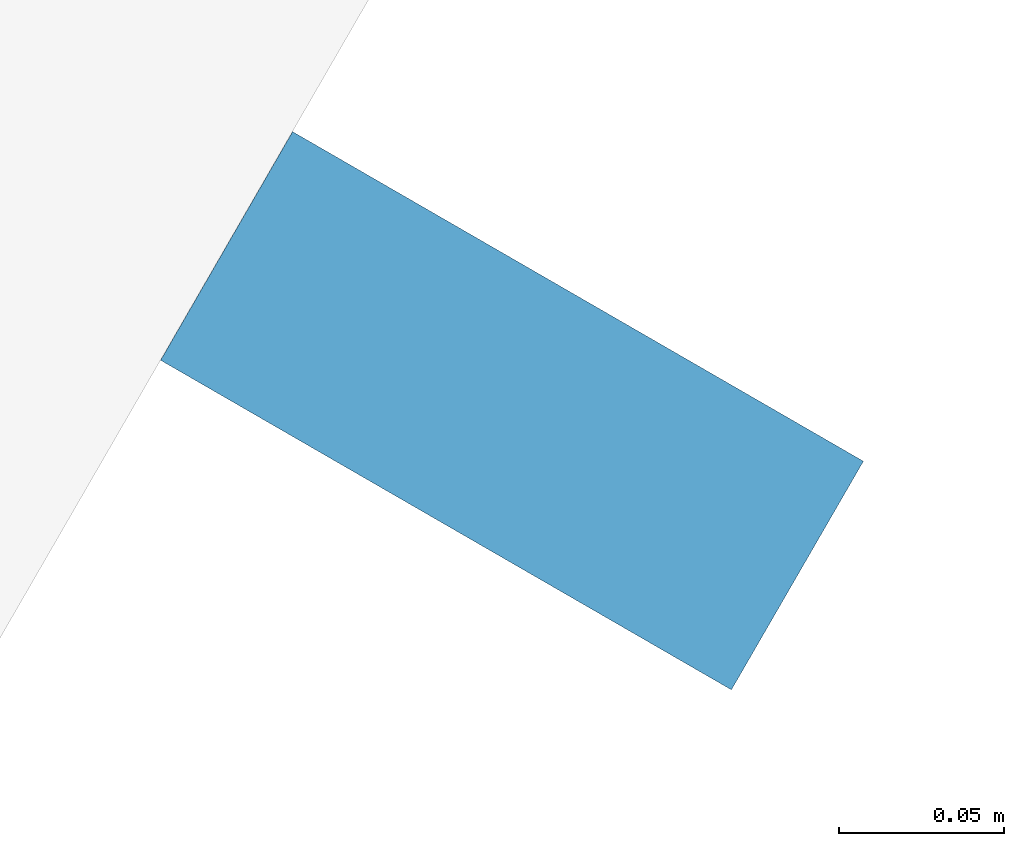
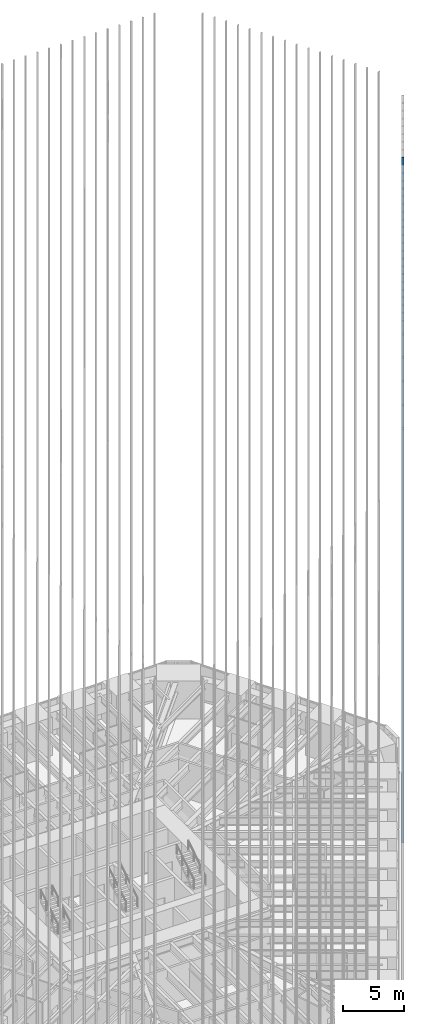
# One storey, part 122 of 256: 1 member, 1 element without a shape of its own.
"""IFC4 building model written with IfcOpenShell, lengths in metres."""

from ifc_helpers import new_model, si_unit, direction, frame, origin, origin_2d, place, context, subcontext, project, spatial, rectangle, extrude, material, material_profile, profile_set, type_object, element, aggregate, save


model = new_model("IFC4")

# Units and contexts
model_context = context("Model", 3, precision=1e-05, world=origin(), true_north=direction((0.0, 1.0)))
body_context = subcontext(model_context, "Body", "Model", "MODEL_VIEW")
ifc_project = project(units=[si_unit("LENGTHUNIT", "METRE"), si_unit("AREAUNIT", "SQUARE_METRE"), si_unit("VOLUMEUNIT", "CUBIC_METRE"), si_unit("PLANEANGLEUNIT", "RADIAN"), si_unit("MASSUNIT", "GRAM", prefix="KILO")], contexts=[model_context])

# Site, building, storey
site_placement = place(None, origin())
site = spatial("IfcSite", under=ifc_project, at=site_placement, CompositionType="ELEMENT")
building_placement = place(site_placement, origin())
building = spatial("IfcBuilding", under=site, at=building_placement, Name="Sandreach Pilgrim Tower", CompositionType="ELEMENT")
storey_placement = place(building_placement, frame((0.0, 0.0, 23.0)))
storey = spatial("IfcBuildingStorey", under=building, at=storey_placement, Name="L04", CompositionType="ELEMENT", Elevation=23.0)

# Curtain wall, member
ifc_material_1 = material(Name="Aluminium framed curtain wall", Category="aluminium")
curtain_wall_type = type_object("IfcCurtainWallType", Name="Hostel tower curtain wall", PredefinedType="NOTDEFINED", material=ifc_material_1)
curtain_wall_placement = place(storey_placement, origin())
curtain_wall = element("IfcCurtainWall", 1, at=curtain_wall_placement, inside=storey, type_object=curtain_wall_type, Name="CW-1 L04 SE", PredefinedType="NOTDEFINED")
ifc_material_2 = material(Name="Extruded terracotta on aluminium core", Category="masonry")
ifc_material_profile = material_profile(ifc_material_2, rectangle(XDim=0.080078125, YDim=0.199951171875, at=origin_2d()), Name="TBE 80X200")
ifc_profile_set = profile_set([ifc_material_profile], Name="Extruded terracotta on aluminium core")
member_type = type_object("IfcMemberType", Name="Terracotta baguette east", PredefinedType="USERDEFINED", material=ifc_profile_set)
member_placement = place(storey_placement, frame((26.062255859375, -3.55615234375, 0.0), z_axis=(0.0, 0.0, 1.0), x_axis=(-0.5, -0.866025403784, 0.0)))
member = element("IfcMember", 2, at=member_placement, type_object=member_type, Name="Baguette Z1 SE09", ObjectType="BAGUETTE", PredefinedType="USERDEFINED", context=body_context, shape_type="SweptSolid", body=[
    extrude(rectangle(XDim=0.080078125, YDim=0.199951171875, at=origin_2d()), origin(), (0.0, 0.0, 1.0), 68.239990234375),
])
aggregate(curtain_wall, [member])

save(model, "model.ifc")
